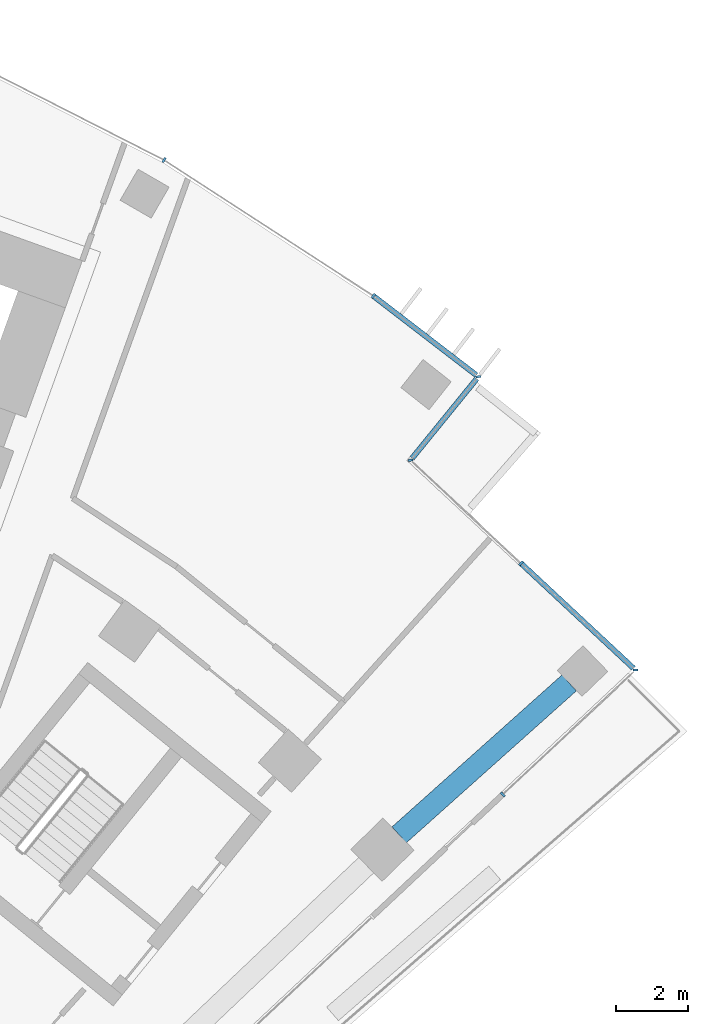
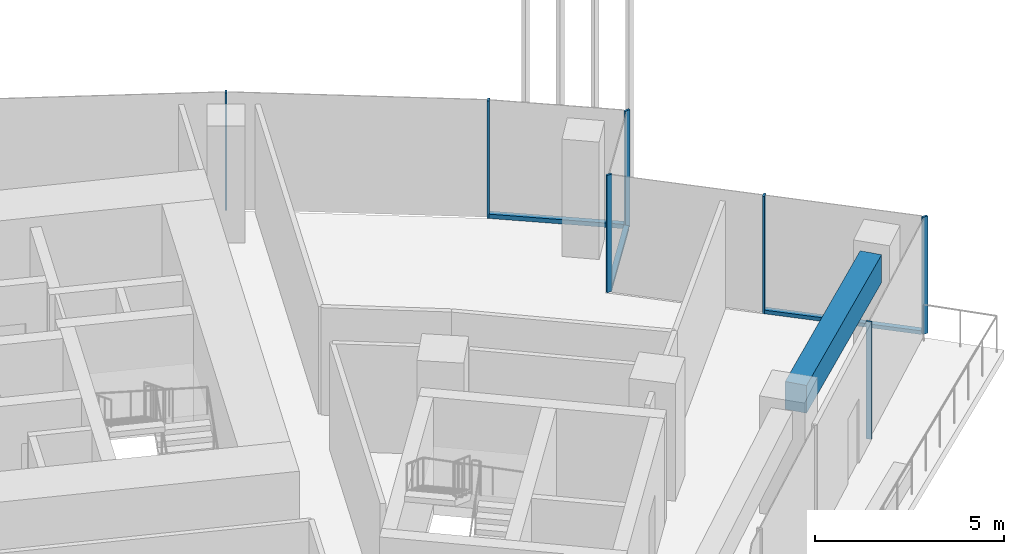
# One storey, part 9 of 20: 10 members, 1 beam, 4 elements without a shape of their own.
"""IFC4 building model written with IfcOpenShell, lengths in metres."""

from ifc_helpers import new_model, si_unit, direction, frame, origin, origin_2d, place, context, subcontext, project, spatial, rectangle, extrude, material, layer, layer_set, material_profile, profile_set, type_object, element, aggregate, save


model = new_model("IFC4")

# Units and contexts
model_context = context("Model", 3, precision=1e-05, world=origin(), true_north=direction((0.0, 1.0)))
body_context = subcontext(model_context, "Body", "Model", "MODEL_VIEW")
ifc_project = project(units=[si_unit("LENGTHUNIT", "METRE"), si_unit("AREAUNIT", "SQUARE_METRE"), si_unit("VOLUMEUNIT", "CUBIC_METRE"), si_unit("PLANEANGLEUNIT", "RADIAN"), si_unit("MASSUNIT", "GRAM", prefix="KILO")], contexts=[model_context])

# Site, building, storey
site_placement = place(None, origin())
site = spatial("IfcSite", under=ifc_project, at=site_placement, CompositionType="ELEMENT")
building_placement = place(site_placement, origin())
building = spatial("IfcBuilding", under=site, at=building_placement, Name="Stone Belt Terrace Tower", CompositionType="ELEMENT")
storey_placement = place(building_placement, frame((0.0, 0.0, 182.0)))
storey = spatial("IfcBuildingStorey", under=building, at=storey_placement, Name="L44", CompositionType="ELEMENT", Elevation=182.0)

# Curtain wall, members
ifc_material_1 = material(Name="Aluminium 6063-T6 anodised frame", Category="aluminium")
ifc_layer_1 = layer(ifc_material_1, 0.14990234375)
ifc_layer_set_1 = layer_set([ifc_layer_1], Name="CW-A unitised convex-face curtain wall")
curtain_wall_type_1 = type_object("IfcCurtainWallType", Name="CW-A unitised convex-face curtain wall", PredefinedType="NOTDEFINED", material=ifc_layer_set_1)
curtain_wall_1_placement = place(storey_placement, origin())
curtain_wall_1 = element("IfcCurtainWall", 1, at=curtain_wall_1_placement, inside=storey, type_object=curtain_wall_type_1, Name="CW-A convex face L44", PredefinedType="NOTDEFINED")
ifc_material_profile_1 = material_profile(ifc_material_1, rectangle(XDim=0.14990234375, YDim=0.06005859375, at=origin_2d()), Name="Aluminium 6063-T6 60x150")
ifc_profile_set_1 = profile_set([ifc_material_profile_1], Name="Aluminium 6063-T6 anodised frame")
member_type_1 = type_object("IfcMemberType", Name="CW-A mullion 60 x 150", PredefinedType="MULLION", material=ifc_profile_set_1)
member_1_placement = place(storey_placement, frame((42.068359375, 51.60205078125, 0.0), z_axis=(0.0, 0.0, 1.0), x_axis=(-0.993258004644, -0.115924700604, 0.0)))
member_1 = element("IfcMember", 2, at=member_1_placement, type_object=member_type_1, Name="CW-A mullion 1", PredefinedType="MULLION", context=body_context, shape_type="SweptSolid", body=[
    extrude(rectangle(XDim=0.14990234375, YDim=0.06005859375, at=origin_2d()), origin(), (0.0, 0.0, 1.0), 3.800048828125),
])
member_2_placement = place(storey_placement, frame((39.131103515625, 53.86083984375, 0.0), z_axis=(0.0, 0.0, 1.0), x_axis=(-0.577587125789, -0.816329046477, 0.0)))
member_2 = element("IfcMember", 3, at=member_2_placement, type_object=member_type_1, Name="CW-A mullion 2", PredefinedType="MULLION", context=body_context, shape_type="SweptSolid", body=[
    extrude(rectangle(XDim=0.14990234375, YDim=0.06005859375, at=origin_2d()), origin(), (0.0, 0.0, 1.0), 3.800048828125),
])
member_3_placement = place(storey_placement, frame((33.28759765625, 57.65576171875, 0.0), z_axis=(0.0, 0.0, 1.0), x_axis=(-0.5, -0.866025403784, 0.0)))
member_3 = element("IfcMember", 4, at=member_3_placement, type_object=member_type_1, Name="CW-A mullion 3", PredefinedType="MULLION", context=body_context, shape_type="SweptSolid", body=[
    extrude(rectangle(XDim=0.14990234375, YDim=0.06005859375, at=origin_2d()), origin(), (0.0, 0.0, 1.0), 3.800048828125),
])
ifc_material_profile_2 = material_profile(ifc_material_1, rectangle(XDim=0.14990234375, YDim=0.139892578125, at=origin_2d()), Name="Aluminium 6063-T6 150x140")
ifc_profile_set_2 = profile_set([ifc_material_profile_2], Name="Aluminium 6063-T6 anodised frame")
member_type_2 = type_object("IfcMemberType", Name="CW-A transom 140 x 150", PredefinedType="USERDEFINED", material=ifc_profile_set_2)
member_4_placement = place(storey_placement, frame((42.00927734375, 51.6474609375, 0.070068359375), z_axis=(-0.79269461464, 0.609618936648, 0.0), x_axis=(-0.609618936648, -0.79269461464, 0.0)))
member_4 = element("IfcMember", 5, at=member_4_placement, type_object=member_type_2, Name="CW-A transom 1.1", ObjectType="TRANSOM", PredefinedType="USERDEFINED", context=body_context, shape_type="SweptSolid", body=[
    extrude(rectangle(XDim=0.14990234375, YDim=0.139892578125, at=origin_2d()), origin(), (0.0, 0.0, 1.0), 3.597900390625),
])
aggregate(curtain_wall_1, [member_1, member_2, member_3, member_4])

# Curtain wall, member
ifc_layer_2 = layer(ifc_material_1, 0.14990234375)
ifc_layer_set_2 = layer_set([ifc_layer_2], Name="CW-C stick curtain wall, horn ends and notches")
curtain_wall_type_2 = type_object("IfcCurtainWallType", Name="CW-C stick curtain wall, horn ends and notches", PredefinedType="NOTDEFINED", material=ifc_layer_set_2)
curtain_wall_2_placement = place(storey_placement, origin())
curtain_wall_2 = element("IfcCurtainWall", 6, at=curtain_wall_2_placement, inside=storey, type_object=curtain_wall_type_2, Name="CW-C end face L44", PredefinedType="NOTDEFINED")
ifc_material_profile_3 = material_profile(ifc_material_1, rectangle(XDim=0.14990234375, YDim=0.06005859375, at=origin_2d()), Name="Aluminium 6063-T6 60x150")
ifc_profile_set_3 = profile_set([ifc_material_profile_3], Name="Aluminium 6063-T6 anodised frame")
member_type_3 = type_object("IfcMemberType", Name="CW-C mullion 60 x 150", PredefinedType="MULLION", material=ifc_profile_set_3)
member_5_placement = place(storey_placement, frame((42.750732421875, 39.932861328125, 0.0), z_axis=(0.0, 0.0, 1.0), x_axis=(-0.683549434973, 0.729904219708, 0.0)))
member_5 = element("IfcMember", 7, at=member_5_placement, type_object=member_type_3, Name="CW-C mullion 4", PredefinedType="MULLION", context=body_context, shape_type="SweptSolid", body=[
    extrude(rectangle(XDim=0.14990234375, YDim=0.06005859375, at=origin_2d()), origin(), (0.0, 0.0, 1.0), 3.800048828125),
])
aggregate(curtain_wall_2, [member_5])

# Curtain wall, members
curtain_wall_3_placement = place(storey_placement, origin())
curtain_wall_3 = element("IfcCurtainWall", 8, at=curtain_wall_3_placement, inside=storey, type_object=curtain_wall_type_2, Name="CW-C notch face L44", PredefinedType="NOTDEFINED")
member_6_placement = place(storey_placement, frame((46.458740234375, 43.405517578125, 0.0), z_axis=(0.0, 0.0, 1.0), x_axis=(-0.999999447771, -0.00105093149, 0.0)))
member_6 = element("IfcMember", 9, at=member_6_placement, type_object=member_type_3, Name="CW-C mullion 1", PredefinedType="MULLION", context=body_context, shape_type="SweptSolid", body=[
    extrude(rectangle(XDim=0.14990234375, YDim=0.06005859375, at=origin_2d()), origin(), (0.0, 0.0, 1.0), 3.800048828125),
])
member_7_placement = place(storey_placement, frame((43.260009765625, 46.388671875, 0.0), z_axis=(0.0, 0.0, 1.0), x_axis=(-0.682013767261, -0.731339333871, 0.0)))
member_7 = element("IfcMember", 10, at=member_7_placement, type_object=member_type_3, Name="CW-C mullion 2", PredefinedType="MULLION", context=body_context, shape_type="SweptSolid", body=[
    extrude(rectangle(XDim=0.14990234375, YDim=0.06005859375, at=origin_2d()), origin(), (0.0, 0.0, 1.0), 3.800048828125),
])

# Curtain wall, member
curtain_wall_4_placement = place(storey_placement, origin())
curtain_wall_4 = element("IfcCurtainWall", 11, at=curtain_wall_4_placement, inside=storey, type_object=curtain_wall_type_2, Name="CW-C notch face L44", PredefinedType="NOTDEFINED")
member_8_placement = place(storey_placement, frame((40.1708984375, 49.269287109375, 0.0), z_axis=(0.0, 0.0, 1.0), x_axis=(-0.997639702696, -0.068666029474, 0.0)))
member_8 = element("IfcMember", 12, at=member_8_placement, type_object=member_type_3, Name="CW-C mullion 1", PredefinedType="MULLION", context=body_context, shape_type="SweptSolid", body=[
    extrude(rectangle(XDim=0.14990234375, YDim=0.06005859375, at=origin_2d()), origin(), (0.0, 0.0, 1.0), 3.800048828125),
])

# Member
ifc_material_profile_4 = material_profile(ifc_material_1, rectangle(XDim=0.14990234375, YDim=0.1201171875, at=origin_2d()), Name="Aluminium 6063-T6 150x120")
ifc_profile_set_4 = profile_set([ifc_material_profile_4], Name="Aluminium 6063-T6 anodised frame")
member_type_4 = type_object("IfcMemberType", Name="CW-C transom 120 x 150", PredefinedType="USERDEFINED", material=ifc_profile_set_4)
member_9_placement = place(storey_placement, frame((46.40380859375, 43.456787109375, 0.06005859375), z_axis=(-0.731353784958, 0.681998270693, 0.0), x_axis=(-0.681998270693, -0.731353784958, 0.0)))
member_9 = element("IfcMember", 13, at=member_9_placement, type_object=member_type_4, Name="CW-C transom 1.1", ObjectType="TRANSOM", PredefinedType="USERDEFINED", context=body_context, shape_type="SweptSolid", body=[
    extrude(rectangle(XDim=0.14990234375, YDim=0.1201171875, at=origin_2d()), origin(), (0.0, 0.0, 1.0), 4.268798828125),
])

aggregate(curtain_wall_3, [member_6, member_7, member_9])

member_10_placement = place(storey_placement, frame((40.217041015625, 49.325927734375, 0.06005859375), z_axis=(0.631026504781, 0.775761271439, 0.0), x_axis=(-0.775761271439, 0.631026504781, 0.0)))
member_10 = element("IfcMember", 14, at=member_10_placement, type_object=member_type_4, Name="CW-C transom 1.1", ObjectType="TRANSOM", PredefinedType="USERDEFINED", context=body_context, shape_type="SweptSolid", body=[
    extrude(rectangle(XDim=0.14990234375, YDim=0.1201171875, at=origin_2d()), origin(), (0.0, 0.0, 1.0), 2.859130859375),
])

aggregate(curtain_wall_4, [member_8, member_10])

# Beam
ifc_material_2 = material(Name="Concrete B60", Category="concrete")
ifc_material_profile_5 = material_profile(ifc_material_2, rectangle(XDim=0.60009765625, YDim=0.89990234375, at=origin_2d()), Name="RC 600x900")
ifc_profile_set_5 = profile_set([ifc_material_profile_5], Name="Concrete B60")
beam_type = type_object("IfcBeamType", Name="Edge beam RC 600x900 B60", PredefinedType="SPANDREL", material=ifc_profile_set_5)
beam_placement = place(storey_placement, frame((39.854736328125, 38.8037109375, 3.030029296875), z_axis=(0.745666230978, 0.666319647, 0.0), x_axis=(-0.666319647, 0.745666230978, 0.0)))
element("IfcBeam", 15, at=beam_placement, inside=storey, type_object=beam_type, Name="Edge beam L44 B Q to R", PredefinedType="SPANDREL", context=body_context, shape_type="SweptSolid", body=[
    extrude(rectangle(XDim=0.60009765625, YDim=0.89990234375, at=origin_2d()), origin(), (0.0, 0.0, 1.0), 6.369140625),
])

save(model, "model.ifc")
